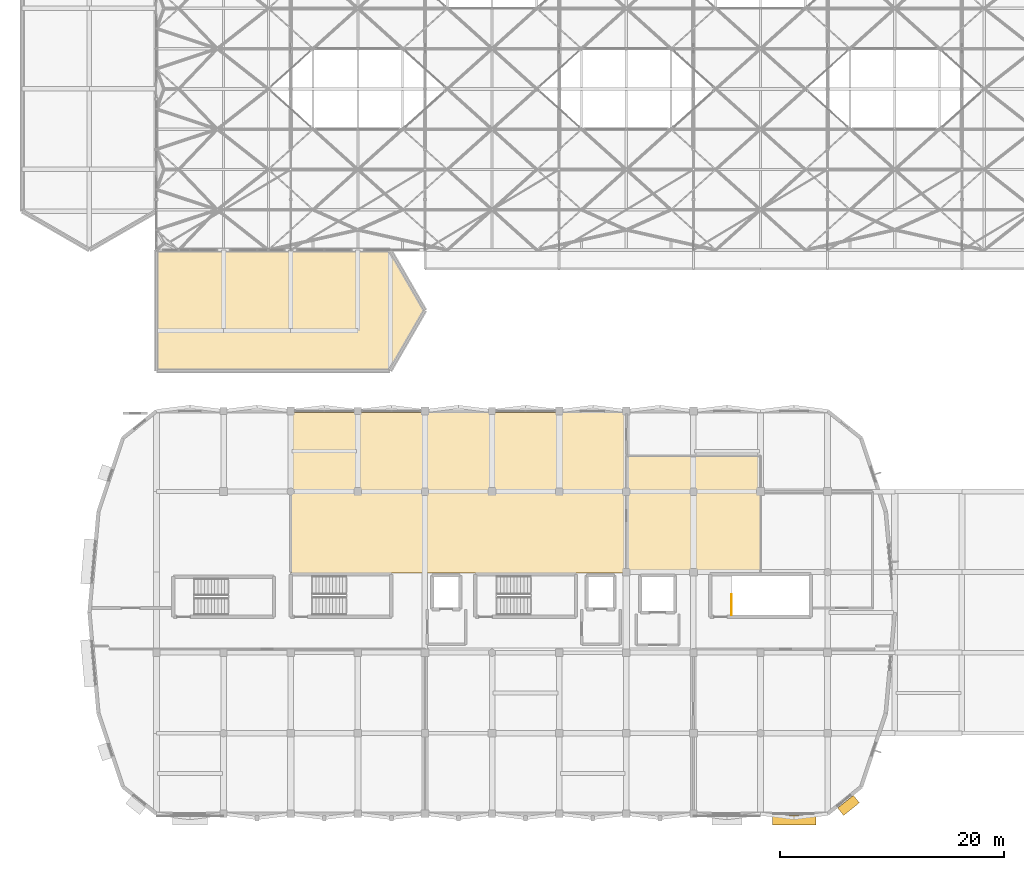
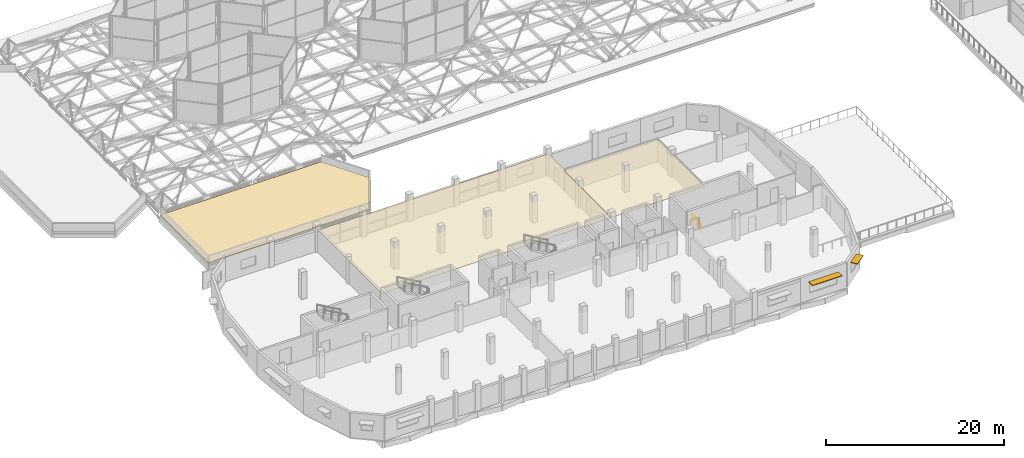
# One storey, part 235 of 239: 3 coverings, 2 shading devices, 1 railing.
"""IFC4 building model written with IfcOpenShell, lengths in metres."""

from ifc_helpers import new_model, si_unit, direction, frame, origin, origin_2d, place, context, subcontext, project, spatial, polyline, rectangle, circle, outline, extrude, material, layer, layer_set, type_object, element, save


model = new_model("IFC4")

# Units and contexts
model_context = context("Model", 3, precision=1e-05, world=origin(), true_north=direction((0.0, 1.0)))
body_context = subcontext(model_context, "Body", "Model", "MODEL_VIEW")
ifc_project = project(units=[si_unit("LENGTHUNIT", "METRE"), si_unit("AREAUNIT", "SQUARE_METRE"), si_unit("VOLUMEUNIT", "CUBIC_METRE"), si_unit("PLANEANGLEUNIT", "RADIAN"), si_unit("MASSUNIT", "GRAM", prefix="KILO")], contexts=[model_context])

# Site, building, storey
site_placement = place(None, origin())
site = spatial("IfcSite", under=ifc_project, at=site_placement, CompositionType="ELEMENT")
building_placement = place(site_placement, origin())
building = spatial("IfcBuilding", under=site, at=building_placement, Name="Dunvalen Ferry Terminal", CompositionType="ELEMENT")
storey_placement = place(building_placement, frame((0.0, 0.0, 9.840087890625)))
storey = spatial("IfcBuildingStorey", under=building, at=storey_placement, Name="L02", CompositionType="ELEMENT", Elevation=9.840087890625)

# Covering
ifc_material_1 = material(Name="Extensive coastal sedum green-roof build-up", Category="earth")
ifc_layer_1 = layer(ifc_material_1, 0.1201171875, Name="Extensive coastal sedum green-roof build-up")
ifc_layer_set_1 = layer_set([ifc_layer_1], Name="Extensive coastal sedum green-roof build-up")
covering_type_1 = type_object("IfcCoveringType", Name="ENV-COV-GRN02", PredefinedType="ROOFING", material=ifc_layer_set_1)
covering_1_placement = place(storey_placement, frame((0.0, 0.0, 0.239990234375)))
element("IfcCovering", 1, at=covering_1_placement, inside=storey, type_object=covering_type_1, Name="L02 V1ASW Planted Coastal Sedum Roof", PredefinedType="ROOFING", context=body_context, shape_type="SweptSolid", body=[
    extrude(outline(polyline([(12.0, 39.60009765625), (32.88232421875, 39.60009765625), (36.0, 45.0), (32.88232421875, 50.39990234375), (12.0, 50.39990234375), (12.0, 39.60009765625)])), origin(), (0.0, 0.0, 1.0), 0.119873046875),
])

# Shading devices
ifc_material_2 = material(Name="Anodised marine aluminium EN AW-6063 T6", Category="aluminium")
ifc_layer_2 = layer(ifc_material_2, 0.090087890625, Name="Anodised marine aluminium EN AW-6063 T6")
ifc_layer_set_2 = layer_set([ifc_layer_2], Name="Anodised marine aluminium EN AW-6063 T6")
shading_device_type = type_object("IfcShadingDeviceType", Name="ENV-SHD-AWN01", PredefinedType="AWNING", material=ifc_layer_set_2)
shading_device_1_placement = place(storey_placement, frame((69.0, -0.5810546875, 2.48486328125), z_axis=(0.0, 0.0, 1.0), x_axis=(1.0, 0.0, 0.0)))
element("IfcShadingDevice", 2, at=shading_device_1_placement, inside=storey, type_object=shading_device_type, Name="L02 Streamline Brise-Soleil Eyebrow 025", PredefinedType="AWNING", context=body_context, shape_type="SweptSolid", body=[
    extrude(rectangle(XDim=3.89990234375, YDim=0.85009765625, at=origin_2d()), origin(), (0.0, 0.0, 1.0), 0.090087890625),
])
shading_device_2_placement = place(storey_placement, frame((73.864013671875, 0.7529296875, 2.68505859375), z_axis=(0.0, 0.0, 1.0), x_axis=(0.779409252356, 0.626515137361, 0.0)))
element("IfcShadingDevice", 3, at=shading_device_2_placement, inside=storey, type_object=shading_device_type, Name="L02 Streamline Brise-Soleil Eyebrow 026", PredefinedType="AWNING", context=body_context, shape_type="SweptSolid", body=[
    extrude(rectangle(XDim=1.800048828125, YDim=0.85009765625, at=origin_2d()), origin(), (0.0, 0.0, 1.0), 0.090087890625),
])

# Coverings
ifc_material_3 = material(Name="Moisture-resistant mineral-fibre acoustic ceiling", Category="gypsum")
ifc_layer_3 = layer(ifc_material_3, 0.050048828125, Name="Moisture-resistant mineral-fibre acoustic ceiling")
ifc_layer_set_3 = layer_set([ifc_layer_3], Name="Moisture-resistant mineral-fibre acoustic ceiling")
covering_type_2 = type_object("IfcCoveringType", Name="INT-COV-CLG02", PredefinedType="CEILING", material=ifc_layer_set_3)
covering_2_placement = place(storey_placement, frame((0.0, 0.0, 2.7998046875)))
element("IfcCovering", 4, at=covering_2_placement, inside=storey, type_object=covering_type_2, Name="L02 Maritime Chart Room and Navigation Archive Acoustic Suspended Ceiling", PredefinedType="CEILING", context=body_context, shape_type="SweptSolid", body=[
    extrude(outline(polyline([(53.909912109375, 32.090087890625), (53.909912109375, 21.510009765625), (66.090087890625, 21.52001953125), (66.090087890625, 32.090087890625), (53.909912109375, 32.090087890625)])), origin(), (0.0, 0.0, 1.0), 0.050048828125),
])
covering_3_placement = place(storey_placement, frame((0.0, 0.0, 2.7998046875)))
element("IfcCovering", 5, at=covering_3_placement, inside=storey, type_object=covering_type_2, Name="L02 Harbour Hydrography and Tug Coordination Room Acoustic Suspended Ceiling", PredefinedType="CEILING", context=body_context, shape_type="SweptSolid", body=[
    extrude(outline(polyline([(53.955810546875, 32.044189453125), (54.090087890625, 32.099853515625), (54.090087890625, 35.8701171875), (24.070068359375, 35.8701171875), (24.070068359375, 21.52001953125), (53.929931640625, 21.510009765625), (53.929931640625, 31.982177734375), (53.955810546875, 32.044189453125)])), origin(), (0.0, 0.0, 1.0), 0.050048828125),
])

# Railing
ifc_material_4 = material(Name="Painted galvanised steel S275", Category="steel")
railing_type = type_object("IfcRailingType", Name="INT-RL-STGRD", PredefinedType="GUARDRAIL", material=ifc_material_4)
railing_placement = place(storey_placement, frame((63.39990234375, 17.75, 0.0)))
element("IfcRailing", 6, at=railing_placement, inside=storey, type_object=railing_type, Name="L02 ST3 top well guard 1", PredefinedType="GUARDRAIL", context=body_context, shape_type="SweptSolid", body=[
    extrude(circle(Radius=0.02392578125, at=origin_2d()), frame((0.0, 0.0, 1.076171875), z_axis=(0.0, 1.0, 0.0), x_axis=(-1.0, 0.0, 0.0)), (0.0, 0.0, 1.0), 1.85009765625),
    extrude(circle(Radius=0.02099609375, at=origin_2d()), origin(), (0.0, 0.0, 1.0), 1.052001953125),
    extrude(circle(Radius=0.02099609375, at=origin_2d()), frame((0.0, 0.925048828125, 0.0)), (0.0, 0.0, 1.0), 1.052001953125),
    extrude(circle(Radius=0.02099609375, at=origin_2d()), frame((0.0, 1.85009765625, 0.0)), (0.0, 0.0, 1.0), 1.052001953125),
])

save(model, "model.ifc")
